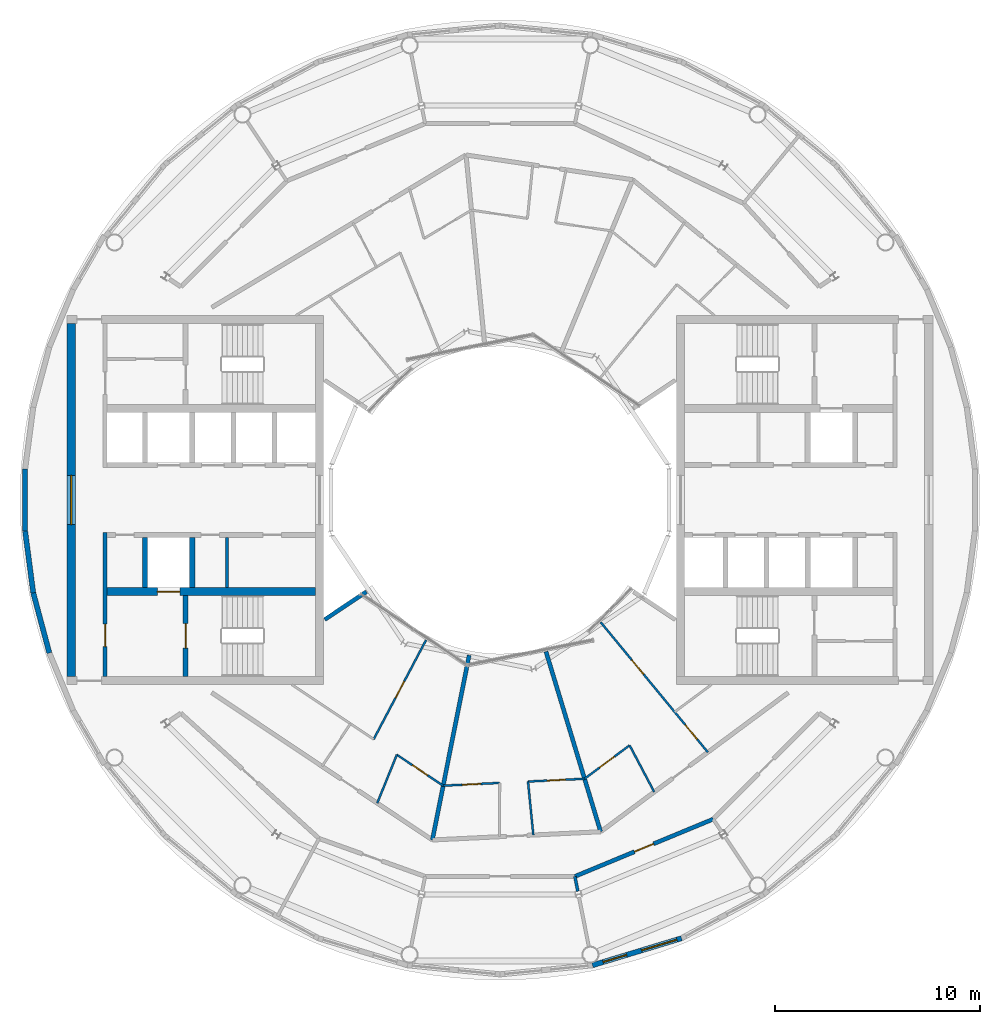
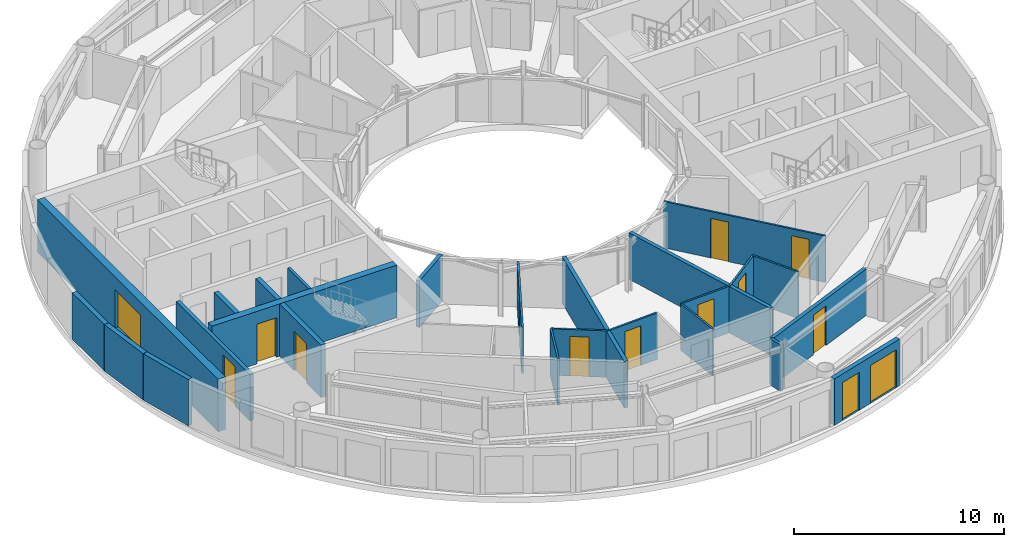
# One storey, part 9 of 17: 25 walls, 13 doors, 1 window, 14 openings.
"""IFC4 building model written with IfcOpenShell, lengths in metres."""

import ifcopenshell
import ifcopenshell.guid

model = None  # the IFC model being written
_history = None  # IfcOwnerHistory: only IFC2X3 demands one
_inside = {}  # id of a spatial element -> (the spatial element, [elements in it])
_under = {}  # id of a project, library or spatial element -> (it, [spatial elements below it])
_declared = {}  # id of a project -> (the project, [libraries it declares])
_typed = {}  # id of a type object -> (the type object, [elements of that type])
_made_of = {}  # id of a material, layer set ... -> (it, [elements and type objects made of it])


def new_model(schema):
    """Start an empty IFC model of exactly this schema.

    Asked for "IFC4X3", IfcOpenShell would pick the latest addendum, in which some entities
    have other attributes; the version numbers below select the first issue.
    IFC2X3 requires an IfcOwnerHistory on every rooted entity: one is made here for all.
    """
    global model, _history
    if schema == "IFC4X3":
        model = ifcopenshell.file(schema_version=(4, 3, 0, 0))
    else:
        model = ifcopenshell.file(schema=schema)
    _inside.clear()
    _under.clear()
    _declared.clear()
    _typed.clear()
    _made_of.clear()
    _history = None
    if model.schema == "IFC2X3":
        org = make("IfcOrganization", Name="unknown")
        user = make(
            "IfcPersonAndOrganization",
            ThePerson=make("IfcPerson", FamilyName="unknown"),
            TheOrganization=org,
        )
        app = make(
            "IfcApplication",
            ApplicationDeveloper=org,
            Version="unknown",
            ApplicationFullName="unknown",
            ApplicationIdentifier="unknown",
        )
        _history = make(
            "IfcOwnerHistory",
            OwningUser=user,
            OwningApplication=app,
            ChangeAction="ADDED",
            CreationDate=0,
        )
    return model


def make(cls, **values):
    """One entity of the class cls with the attributes given. An attribute that is None is left unset."""
    return model.create_entity(
        cls, **{name: value for name, value in values.items() if value is not None}
    )


def rooted(cls, **values):
    """An entity with a GlobalId (a new one), such as an element, a storey or a relation."""
    return make(cls, GlobalId=ifcopenshell.guid.new(), OwnerHistory=_history, **values)


def si_unit(unit_type, name, prefix=None):
    """IfcSIUnit, for example si_unit("LENGTHUNIT", "METRE", prefix="MILLI")."""
    return make("IfcSIUnit", UnitType=unit_type, Prefix=prefix, Name=name)


def assignment(units):
    """IfcUnitAssignment: the units of a project."""
    return None if units is None else make("IfcUnitAssignment", Units=units)


def point(xyz):
    """IfcCartesianPoint."""
    return None if xyz is None else make("IfcCartesianPoint", Coordinates=xyz)


def direction(xyz):
    """IfcDirection."""
    return None if xyz is None else make("IfcDirection", DirectionRatios=xyz)


def frame(location, z_axis=None, x_axis=None):
    """IfcAxis2Placement3D, a coordinate frame: its origin and axes. An axis left out is left unset."""
    return make(
        "IfcAxis2Placement3D",
        Location=point(location),
        Axis=direction(z_axis),
        RefDirection=direction(x_axis),
    )


def frame_2d(location, x_axis=None):
    """IfcAxis2Placement2D, a coordinate frame in the plane: its origin and x axis."""
    return make(
        "IfcAxis2Placement2D", Location=point(location), RefDirection=direction(x_axis)
    )


def origin():
    """The frame at (0, 0, 0) with its axes left unset."""
    return frame((0.0, 0.0, 0.0))


def place(relative_to, where):
    """IfcLocalPlacement: puts the frame where relative to a parent placement (None: the world)."""
    return make(
        "IfcLocalPlacement", PlacementRelTo=relative_to, RelativePlacement=where
    )


def context(
    kind, dimensions, precision=None, world=None, true_north=None, identifier=None
):
    """IfcGeometricRepresentationContext, for example the 3D "Model" context."""
    return make(
        "IfcGeometricRepresentationContext",
        ContextIdentifier=identifier,
        ContextType=kind,
        CoordinateSpaceDimension=dimensions,
        Precision=precision,
        WorldCoordinateSystem=world,
        TrueNorth=true_north,
    )


def subcontext(parent, identifier, kind, view, scale=None):
    """IfcGeometricRepresentationSubContext, for example "Body" below "Model"."""
    return make(
        "IfcGeometricRepresentationSubContext",
        ContextIdentifier=identifier,
        ContextType=kind,
        ParentContext=parent,
        TargetScale=scale,
        TargetView=view,
    )


def project(units=None, contexts=None):
    """IfcProject with its units and contexts."""
    return rooted(
        "IfcProject",
        Name="project",
        RepresentationContexts=contexts,
        UnitsInContext=assignment(units),
    )


def spatial(cls, under=None, at=None, **own):
    """A site, building, storey or space (cls), placed at a placement, below another one or the project."""
    s = rooted(cls, ObjectPlacement=at, **own)
    if under is not None:
        _under.setdefault(under.id(), (under, []))[1].append(s)
    return s


def profile(cls, at=None, kind="AREA", **sizes):
    """A parametric profile (cls). Its sizes go by their IFC names, for example OverallWidth=200.0."""
    return make(cls, ProfileType=kind, Position=at, **sizes)


def rectangle(**sizes):
    """IfcRectangleProfileDef."""
    return profile("IfcRectangleProfileDef", **sizes)


def extrude(swept, where, along, depth):
    """IfcExtrudedAreaSolid: the profile swept, set in the frame where, extruded along a direction by depth."""
    return make(
        "IfcExtrudedAreaSolid",
        SweptArea=swept,
        Position=where,
        ExtrudedDirection=direction(along),
        Depth=depth,
    )


def shape(context_of_items, identifier, shape_type, items):
    """IfcShapeRepresentation: the items that make up one representation, for example the "Body"."""
    return make(
        "IfcShapeRepresentation",
        ContextOfItems=context_of_items,
        RepresentationIdentifier=identifier,
        RepresentationType=shape_type,
        Items=items,
    )


def material(Name=None, Category=None):
    """IfcMaterial."""
    return make("IfcMaterial", Name=Name, Category=Category)


def layer(
    of_material, thickness, ventilated=None, Name=None, Category=None, Priority=None
):
    """IfcMaterialLayer: one layer of a wall or slab, of a material (None: an air gap)."""
    return make(
        "IfcMaterialLayer",
        Material=of_material,
        LayerThickness=thickness,
        IsVentilated=ventilated,
        Name=Name,
        Category=Category,
        Priority=Priority,
    )


def layer_set(layers, Name=None):
    """IfcMaterialLayerSet."""
    return make("IfcMaterialLayerSet", MaterialLayers=layers, LayerSetName=Name)


def made_of(thing, what):
    """Note that an element or type object is made of a material, layer set ...; save() writes the relation."""
    if what is not None:
        _made_of.setdefault(what.id(), (what, []))[1].append(thing)
    return thing


def type_object(cls, material=None, **own):
    """A type object (cls), such as IfcWallType, which elements share."""
    return made_of(rooted(cls, **own), material)


def element(
    cls,
    number,
    at=None,
    inside=None,
    cuts=None,
    type_object=None,
    material=None,
    context=None,
    identifier="Body",
    shape_type=None,
    held_by="IfcProductDefinitionShape",
    body=None,
    shapes=None,
    **own,
):
    """One element of the class cls, such as IfcWall. Its Tag is "e" and its number.

    at: its placement. inside: the storey or other place that contains it. cuts: it is an
    opening in that element (IfcRelVoidsElement). A single representation is given by context,
    identifier, shape_type and body (its items); several are given by shapes. held_by: the class
    of the entity that holds the representations. save() writes the other relations.
    """
    e = rooted(cls, Tag="e%d" % number, ObjectPlacement=at, **own)
    if body is not None:
        shapes = [shape(context, identifier, shape_type, body)]
    if shapes is not None:
        e.Representation = make(held_by, Representations=shapes)
    if inside is not None:
        _inside.setdefault(inside.id(), (inside, []))[1].append(e)
    if cuts is not None:
        rooted(
            "IfcRelVoidsElement", RelatingBuildingElement=cuts, RelatedOpeningElement=e
        )
    if type_object is not None:
        _typed.setdefault(type_object.id(), (type_object, []))[1].append(e)
    return made_of(e, material)


def fill(opening, filler):
    """IfcRelFillsElement: the door or window that sits in an opening."""
    return rooted(
        "IfcRelFillsElement",
        RelatingOpeningElement=opening,
        RelatedBuildingElement=filler,
    )


def aggregate(whole, parts):
    """IfcRelAggregates: a whole, such as a stair, and the parts it consists of."""
    return rooted("IfcRelAggregates", RelatingObject=whole, RelatedObjects=parts)


def save(model, path):
    """Write the relations noted so far, then the file.

    IfcRelAggregates (storeys below a building ...), IfcRelContainedInSpatialStructure (elements
    in a storey), IfcRelDefinesByType, IfcRelAssociatesMaterial and IfcRelDeclares: one each for
    every whole, place, type object, material and project.
    """
    for whole, parts in _under.values():
        aggregate(whole, parts)
    for where, things in _inside.values():
        rooted(
            "IfcRelContainedInSpatialStructure",
            RelatedElements=things,
            RelatingStructure=where,
        )
    for kind, things in _typed.values():
        rooted("IfcRelDefinesByType", RelatedObjects=things, RelatingType=kind)
    for what, things in _made_of.values():
        rooted("IfcRelAssociatesMaterial", RelatedObjects=things, RelatingMaterial=what)
    for by, libraries in _declared.values():
        rooted("IfcRelDeclares", RelatingContext=by, RelatedDefinitions=libraries)
    model.write(path)


model = new_model("IFC4")

# Units and contexts
model_context = context("Model", 3, precision=1e-05, world=origin(), true_north=direction((0.0, 1.0)))
body_context = subcontext(model_context, "Body", "Model", "MODEL_VIEW")
ifc_project = project(units=[si_unit("LENGTHUNIT", "METRE"), si_unit("AREAUNIT", "SQUARE_METRE"), si_unit("VOLUMEUNIT", "CUBIC_METRE"), si_unit("PLANEANGLEUNIT", "RADIAN"), si_unit("MASSUNIT", "GRAM", prefix="KILO")], contexts=[model_context])

# Site, building, storey
site_placement = place(None, origin())
site = spatial("IfcSite", under=ifc_project, at=site_placement, CompositionType="ELEMENT")
building_placement = place(site_placement, origin())
building = spatial("IfcBuilding", under=site, at=building_placement, Name="Maasbend Ring Residences", CompositionType="ELEMENT")
storey_placement = place(building_placement, frame((0.0, 0.0, 249.300048828125)))
storey = spatial("IfcBuildingStorey", under=building, at=storey_placement, Name="L72", CompositionType="ELEMENT", Elevation=249.300048828125)

# Wall, opening, door
ifc_material_1 = material(Name="Concrete C50/60", Category="concrete")
ifc_layer_1 = layer(ifc_material_1, 0.25)
ifc_layer_set_1 = layer_set([ifc_layer_1], Name="Concrete C50/60")
wall_type_1 = type_object("IfcWallType", Name="CORE WALL 250 C50/60", PredefinedType="SHEAR", material=ifc_layer_set_1)
wall_1_placement = place(storey_placement, frame((-15.324951171875, -4.64990234375, 0.0), z_axis=(0.0, 0.0, 1.0), x_axis=(0.0, -1.0, 0.0)))
wall_1 = element("IfcWall", 1, at=wall_1_placement, inside=storey, type_object=wall_type_1, Name="L72 core W wall STEN", PredefinedType="SHEAR", context=body_context, shape_type="SweptSolid", body=[
    extrude(rectangle(XDim=3.9501953125, YDim=0.25, at=frame_2d((1.97509765625, 0.0))), origin(), (0.0, 0.0, 1.0), 3.050048828125),
])
opening_1_placement = place(wall_1_placement, frame((1.375, 0.0, 0.0)))
opening_1 = element("IfcOpeningElement", 2, at=opening_1_placement, cuts=wall_1, Name="Opening D-W7210", PredefinedType="OPENING", context=body_context, shape_type="SweptSolid", body=[
    extrude(rectangle(XDim=1.199951171875, YDim=2.300048828125, at=frame_2d((0.60009765625, 1.14990234375))), frame((0.0, 0.135009765625, 0.0), z_axis=(0.0, -1.0, 0.0), x_axis=(1.0, 0.0, 0.0)), (0.0, 0.0, 1.0), 0.27001953125),
])
ifc_material_2 = material(Name="Steel, powder coated", Category="steel")
door_type_1 = type_object("IfcDoorType", Name="STAIR DOOR 1200 X 2300 FD60", OperationType="NOTDEFINED", PredefinedType="DOOR", material=ifc_material_2)
door_1_placement = place(opening_1_placement, origin())
door_1 = element("IfcDoor", 3, at=door_1_placement, inside=storey, type_object=door_type_1, Name="Stair door ST-W L72", OperationType="SINGLE_SWING_LEFT", OverallHeight=2.300048828125, OverallWidth=1.199951171875, PredefinedType="DOOR", context=body_context, shape_type="SweptSolid", body=[
    extrude(rectangle(XDim=1.199951171875, YDim=2.300048828125, at=frame_2d((0.60009765625, 1.14990234375))), frame((0.0, 0.02490234375, 0.0), z_axis=(0.0, -1.0, 0.0), x_axis=(1.0, 0.0, 0.0)), (0.0, 0.0, 1.0), 0.050048828125),
])
fill(opening_1, door_1)

ifc_material_3 = material(Name="Concrete C50/60", Category="concrete")
ifc_layer_2 = layer(ifc_material_3, 0.375)
ifc_layer_set_2 = layer_set([ifc_layer_2], Name="Concrete C50/60")
wall_type_2 = type_object("IfcWallType", Name="CORE WALL 375 C50/60", PredefinedType="SHEAR", material=ifc_layer_set_2)
wall_2_placement = place(storey_placement, frame((-9.0, -4.46240234375, 0.0), z_axis=(0.0, 0.0, 1.0), x_axis=(-1.0, 0.0, 0.0)))
wall_2 = element("IfcWall", 4, at=wall_2_placement, inside=storey, type_object=wall_type_2, Name="L72 core W wall BN", PredefinedType="SHEAR", context=body_context, shape_type="SweptSolid", body=[
    extrude(rectangle(XDim=10.14990234375, YDim=0.375, at=frame_2d((5.074951171875, 0.0))), origin(), (0.0, 0.0, 1.0), 3.050048828125),
])
opening_2_placement = place(wall_2_placement, frame((6.60009765625, 0.0, 0.0)))
opening_2 = element("IfcOpeningElement", 5, at=opening_2_placement, cuts=wall_2, Name="Opening LD-W7201", PredefinedType="OPENING", context=body_context, shape_type="SweptSolid", body=[
    extrude(rectangle(XDim=1.10009765625, YDim=2.300048828125, at=frame_2d((0.550048828125, 1.14990234375))), frame((0.0, 0.197509765625, 0.0), z_axis=(0.0, -1.0, 0.0), x_axis=(1.0, 0.0, 0.0)), (0.0, 0.0, 1.0), 0.39501953125),
])
ifc_material_4 = material(Name="Stainless steel 316", Category="steel")
door_type_2 = type_object("IfcDoorType", Name="LANDING DOOR 1100 X 2300 FD60", OperationType="DOUBLE_DOOR_SLIDING", PredefinedType="DOOR", material=ifc_material_4)
door_2_placement = place(opening_2_placement, origin())
door_2 = element("IfcDoor", 6, at=door_2_placement, inside=storey, type_object=door_type_2, Name="Landing door FF-W L72", OperationType="DOUBLE_DOOR_SLIDING", OverallHeight=2.300048828125, OverallWidth=1.10009765625, PredefinedType="DOOR", context=body_context, shape_type="SweptSolid", body=[
    extrude(rectangle(XDim=1.10009765625, YDim=2.300048828125, at=frame_2d((0.550048828125, 1.14990234375))), frame((0.0, 0.02490234375, 0.0), z_axis=(0.0, -1.0, 0.0), x_axis=(1.0, 0.0, 0.0)), (0.0, 0.0, 1.0), 0.050048828125),
])
fill(opening_2, door_2)

# Wall, opening, window
ifc_material_5 = material(Name="Concrete C50/60", Category="concrete")
ifc_layer_3 = layer(ifc_material_5, 0.39990234375)
ifc_layer_set_3 = layer_set([ifc_layer_3], Name="Concrete C50/60")
wall_type_3 = type_object("IfcWallType", Name="CORE WALL 400 C50/60", PredefinedType="SHEAR", material=ifc_layer_set_3)
wall_3_placement = place(storey_placement, frame((-20.89990234375, 8.60009765625, 0.0), z_axis=(0.0, 0.0, 1.0), x_axis=(0.0, -1.0, 0.0)))
wall_3 = element("IfcWall", 7, at=wall_3_placement, inside=storey, type_object=wall_type_3, Name="L72 core W wall POUT", PredefinedType="SHEAR", context=body_context, shape_type="SweptSolid", body=[
    extrude(rectangle(XDim=17.2001953125, YDim=0.39990234375, at=frame_2d((8.60009765625, 0.0))), origin(), (0.0, 0.0, 1.0), 3.050048828125),
])
opening_3_placement = place(wall_3_placement, frame((7.39990234375, 0.0, 0.10009765625)))
opening_3 = element("IfcOpeningElement", 8, at=opening_3_placement, cuts=wall_3, Name="Opening W-W7202", PredefinedType="OPENING", context=body_context, shape_type="SweptSolid", body=[
    extrude(rectangle(XDim=2.39990234375, YDim=2.199951171875, at=frame_2d((1.199951171875, 1.10009765625))), frame((0.0, 0.2099609375, 0.0), z_axis=(0.0, -1.0, 0.0), x_axis=(1.0, 0.0, 0.0)), (0.0, 0.0, 1.0), 0.419921875),
])
ifc_material_6 = material(Name="Aluminium frame and clear glass", Category="aluminium")
window_type = type_object("IfcWindowType", Name="FIXED WINDOW 2400 X 2200", PartitioningType="SINGLE_PANEL", PredefinedType="WINDOW", material=ifc_material_6)
window_placement = place(opening_3_placement, origin())
window = element("IfcWindow", 9, at=window_placement, inside=storey, type_object=window_type, Name="Lobby window L72", OverallHeight=2.199951171875, OverallWidth=2.39990234375, PartitioningType="SINGLE_PANEL", PredefinedType="WINDOW", context=body_context, shape_type="SweptSolid", body=[
    extrude(rectangle(XDim=2.39990234375, YDim=2.199951171875, at=frame_2d((1.199951171875, 1.10009765625))), frame((0.0, 0.030029296875, 0.0), z_axis=(0.0, -1.0, 0.0), x_axis=(1.0, 0.0, 0.0)), (0.0, 0.0, 1.0), 0.06005859375),
])
fill(opening_3, window)

# Wall, opening, door
ifc_material_7 = material(Name="Concrete C30/37", Category="concrete")
ifc_layer_4 = layer(ifc_material_7, 0.199951171875)
ifc_layer_set_4 = layer_set([ifc_layer_4], Name="Concrete C30/37")
wall_type_4 = type_object("IfcWallType", Name="CORRIDOR WALL 200 CONCRETE", PredefinedType="PARTITIONING", material=ifc_layer_set_4)
wall_4_placement = place(storey_placement, frame((3.64990234375, -18.35107421875, 0.0), z_axis=(0.0, 0.0, 1.0), x_axis=(0.923866436038, 0.382715048518, 0.0)))
wall_4 = element("IfcWall", 10, at=wall_4_placement, inside=storey, type_object=wall_type_4, Name="U-L72-w003", PredefinedType="PARTITIONING", context=body_context, shape_type="SweptSolid", body=[
    extrude(rectangle(XDim=7.301025390625, YDim=0.199951171875, at=frame_2d((3.650390625, 0.0))), origin(), (0.0, 0.0, 1.0), 2.699951171875),
])
opening_4_placement = place(wall_4_placement, frame((3.14990234375, 0.0, 0.0)))
opening_4 = element("IfcOpeningElement", 11, at=opening_4_placement, cuts=wall_4, Name="Opening D-7209", PredefinedType="OPENING", context=body_context, shape_type="SweptSolid", body=[
    extrude(rectangle(XDim=1.0, YDim=2.300048828125, at=frame_2d((0.5, 1.14990234375))), frame((0.0, 0.10986328125, 0.0), z_axis=(0.0, -1.0, 0.0), x_axis=(1.0, 0.0, 0.0)), (0.0, 0.0, 1.0), 0.219970703125),
])
ifc_material_8 = material(Name="Timber, painted", Category="wood")
door_type_3 = type_object("IfcDoorType", Name="ROOM DOOR 1000 X 2300", OperationType="NOTDEFINED", PredefinedType="DOOR", material=ifc_material_8)
door_3_placement = place(opening_4_placement, origin())
door_3 = element("IfcDoor", 12, at=door_3_placement, inside=storey, type_object=door_type_3, Name="D-7209", OperationType="SINGLE_SWING_LEFT", OverallHeight=2.300048828125, OverallWidth=1.0, PredefinedType="DOOR", context=body_context, shape_type="SweptSolid", body=[
    extrude(rectangle(XDim=1.0, YDim=2.300048828125, at=frame_2d((0.5, 1.14990234375))), frame((0.0, 0.02490234375, 0.0), z_axis=(0.0, -1.0, 0.0), x_axis=(1.0, 0.0, 0.0)), (0.0, 0.0, 1.0), 0.050048828125),
])
fill(opening_4, door_3)

# Wall, openings, doors
ifc_material_9 = material(Name="Aluminium clad insulated panel", Category="aluminium")
ifc_layer_5 = layer(ifc_material_9, 0.25)
ifc_layer_set_5 = layer_set([ifc_layer_5], Name="EW-GL")
wall_type_5 = type_object("IfcWallType", Name="EW-GL", PredefinedType="SOLIDWALL", material=ifc_layer_set_5)
wall_5_placement = place(storey_placement, frame((4.510986328125, -22.680908203125, 0.0), z_axis=(0.0, 0.0, 1.0), x_axis=(0.956960982965, 0.290216603735, 0.0)))
wall_5 = element("IfcWall", 13, at=wall_5_placement, inside=storey, type_object=wall_type_5, Name="External wall S07", PredefinedType="SOLIDWALL", context=body_context, shape_type="SweptSolid", body=[
    extrude(rectangle(XDim=4.5341796875, YDim=0.25, at=frame_2d((2.26708984375, 0.0))), origin(), (0.0, 0.0, 1.0), 2.699951171875),
])
opening_5_placement = place(wall_5_placement, frame((0.5361328125, 0.0, 0.0)))
opening_5 = element("IfcOpeningElement", 14, at=opening_5_placement, cuts=wall_5, Name="Opening D-TN", PredefinedType="OPENING", context=body_context, shape_type="SweptSolid", body=[
    extrude(rectangle(XDim=1.199951171875, YDim=2.199951171875, at=frame_2d((0.60009765625, 1.10009765625))), frame((0.0, 0.135009765625, 0.0), z_axis=(0.0, -1.0, 0.0), x_axis=(1.0, 0.0, 0.0)), (0.0, 0.0, 1.0), 0.27001953125),
])
opening_6_placement = place(wall_5_placement, frame((2.497314453125, 0.0, 0.0)))
opening_6 = element("IfcOpeningElement", 15, at=opening_6_placement, cuts=wall_5, Name="Opening D-TR", PredefinedType="OPENING", context=body_context, shape_type="SweptSolid", body=[
    extrude(rectangle(XDim=1.800048828125, YDim=2.199951171875, at=frame_2d((0.89990234375, 1.10009765625))), frame((0.0, 0.135009765625, 0.0), z_axis=(0.0, -1.0, 0.0), x_axis=(1.0, 0.0, 0.0)), (0.0, 0.0, 1.0), 0.27001953125),
])
ifc_material_10 = material(Name="Aluminium and clear glass", Category="aluminium")
door_type_4 = type_object("IfcDoorType", Name="D-TN", OperationType="SINGLE_SWING_LEFT", PredefinedType="DOOR", material=ifc_material_10)
door_4_placement = place(opening_5_placement, origin())
door_4 = element("IfcDoor", 16, at=door_4_placement, inside=storey, type_object=door_type_4, Name="Terrace door S13", OperationType="SINGLE_SWING_LEFT", OverallHeight=2.199951171875, OverallWidth=1.199951171875, PredefinedType="DOOR", context=body_context, shape_type="SweptSolid", body=[
    extrude(rectangle(XDim=1.199951171875, YDim=2.199951171875, at=frame_2d((0.60009765625, 1.10009765625))), frame((0.0, 0.02490234375, 0.0), z_axis=(0.0, -1.0, 0.0), x_axis=(1.0, 0.0, 0.0)), (0.0, 0.0, 1.0), 0.050048828125),
])
fill(opening_5, door_4)
ifc_material_11 = material(Name="Aluminium and clear glass", Category="aluminium")
door_type_5 = type_object("IfcDoorType", Name="D-TR", OperationType="DOUBLE_DOOR_SINGLE_SWING", PredefinedType="DOOR", material=ifc_material_11)
door_5_placement = place(opening_6_placement, origin())
door_5 = element("IfcDoor", 17, at=door_5_placement, inside=storey, type_object=door_type_5, Name="Terrace door S14", OperationType="SINGLE_SWING_LEFT", OverallHeight=2.199951171875, OverallWidth=1.800048828125, PredefinedType="DOOR", context=body_context, shape_type="SweptSolid", body=[
    extrude(rectangle(XDim=1.800048828125, YDim=2.199951171875, at=frame_2d((0.89990234375, 1.10009765625))), frame((0.0, 0.02490234375, 0.0), z_axis=(0.0, -1.0, 0.0), x_axis=(1.0, 0.0, 0.0)), (0.0, 0.0, 1.0), 0.050048828125),
])
fill(opening_6, door_5)

# Walls
ifc_material_12 = material(Name="Louvred aluminium panel", Category="aluminium")
ifc_layer_6 = layer(ifc_material_12, 0.25)
ifc_layer_set_6 = layer_set([ifc_layer_6], Name="EW-LV")
wall_type_6 = type_object("IfcWallType", Name="EW-LV", PredefinedType="SOLIDWALL", material=ifc_layer_set_6)
wall_6_placement = place(storey_placement, frame((-23.14990234375, 1.51708984375, 0.0), z_axis=(0.0, 0.0, 1.0), x_axis=(0.0, -1.0, 0.0)))
element("IfcWall", 18, at=wall_6_placement, inside=storey, type_object=wall_type_6, Name="Horn wall 2.5", PredefinedType="SOLIDWALL", context=body_context, shape_type="SweptSolid", body=[
    extrude(rectangle(XDim=3.0341796875, YDim=0.25, at=frame_2d((1.51708984375, 0.0))), origin(), (0.0, 0.0, 1.0), 2.699951171875),
])
wall_7_placement = place(storey_placement, frame((-23.14990234375, -1.51708984375, 0.0), z_axis=(0.0, 0.0, 1.0), x_axis=(0.130487809173, -0.991449913842, 0.0)))
element("IfcWall", 19, at=wall_7_placement, inside=storey, type_object=wall_type_6, Name="Horn wall 2.6", PredefinedType="SOLIDWALL", context=body_context, shape_type="SweptSolid", body=[
    extrude(rectangle(XDim=3.03466796875, YDim=0.25, at=frame_2d((1.517333984375, 0.0))), origin(), (0.0, 0.0, 1.0), 2.699951171875),
])
wall_8_placement = place(storey_placement, frame((-22.75390625, -4.52587890625, 0.0), z_axis=(0.0, 0.0, 1.0), x_axis=(0.258669057101, -0.965966002972, 0.0)))
element("IfcWall", 20, at=wall_8_placement, inside=storey, type_object=wall_type_6, Name="Horn wall 2.7", PredefinedType="SOLIDWALL", context=body_context, shape_type="SweptSolid", body=[
    extrude(rectangle(XDim=3.034423828125, YDim=0.25, at=frame_2d((1.51708984375, 0.0))), origin(), (0.0, 0.0, 1.0), 2.699951171875),
])

# Wall, opening, door
ifc_material_13 = material(Name="Gypsum board on steel studs", Category="steel")
ifc_layer_7 = layer(ifc_material_13, 0.10009765625)
ifc_layer_set_7 = layer_set([ifc_layer_7], Name="PARTITION 100 GYPSUM")
wall_type_7 = type_object("IfcWallType", Name="PARTITION 100 GYPSUM", PredefinedType="PARTITIONING", material=ifc_layer_set_7)
wall_9_placement = place(storey_placement, frame((-2.77197265625, -13.927001953125, 0.0), z_axis=(0.0, 0.0, 1.0), x_axis=(0.998804891239, 0.048875241559, 0.0)))
wall_9 = element("IfcWall", 21, at=wall_9_placement, inside=storey, type_object=wall_type_7, Name="U-L72-w009", PredefinedType="PARTITIONING", context=body_context, shape_type="SweptSolid", body=[
    extrude(rectangle(XDim=2.762451171875, YDim=0.10009765625, at=frame_2d((1.38134765625, 0.0))), origin(), (0.0, 0.0, 1.0), 2.699951171875),
])
opening_7_placement = place(wall_9_placement, frame((0.930908203125, 0.0, 0.0)))
opening_7 = element("IfcOpeningElement", 22, at=opening_7_placement, cuts=wall_9, Name="Opening D-7228", PredefinedType="OPENING", context=body_context, shape_type="SweptSolid", body=[
    extrude(rectangle(XDim=0.89990234375, YDim=2.300048828125, at=frame_2d((0.449951171875, 1.14990234375))), frame((0.0, 0.06005859375, 0.0), z_axis=(0.0, -1.0, 0.0), x_axis=(1.0, 0.0, 0.0)), (0.0, 0.0, 1.0), 0.1201171875),
])
ifc_material_14 = material(Name="Timber, painted", Category="wood")
door_type_6 = type_object("IfcDoorType", Name="INTERNAL DOOR 900 X 2300", OperationType="NOTDEFINED", PredefinedType="DOOR", material=ifc_material_14)
door_6_placement = place(opening_7_placement, origin())
door_6 = element("IfcDoor", 23, at=door_6_placement, inside=storey, type_object=door_type_6, Name="D-7228", OperationType="SINGLE_SWING_LEFT", OverallHeight=2.300048828125, OverallWidth=0.89990234375, PredefinedType="DOOR", context=body_context, shape_type="SweptSolid", body=[
    extrude(rectangle(XDim=0.89990234375, YDim=2.300048828125, at=frame_2d((0.449951171875, 1.14990234375))), frame((0.0, 0.02490234375, 0.0), z_axis=(0.0, -1.0, 0.0), x_axis=(1.0, 0.0, 0.0)), (0.0, 0.0, 1.0), 0.050048828125),
])
fill(opening_7, door_6)

wall_10_placement = place(storey_placement, frame((1.364990234375, -13.72509765625, 0.0), z_axis=(0.0, 0.0, 1.0), x_axis=(0.99880320044, 0.048909782152, 0.0)))
wall_10 = element("IfcWall", 24, at=wall_10_placement, inside=storey, type_object=wall_type_7, Name="U-L72-w010", PredefinedType="PARTITIONING", context=body_context, shape_type="SweptSolid", body=[
    extrude(rectangle(XDim=2.760498046875, YDim=0.10009765625, at=frame_2d((1.38037109375, 0.0))), origin(), (0.0, 0.0, 1.0), 2.699951171875),
])
opening_8_placement = place(wall_10_placement, frame((0.929931640625, 0.0, 0.0)))
opening_8 = element("IfcOpeningElement", 25, at=opening_8_placement, cuts=wall_10, Name="Opening D-7229", PredefinedType="OPENING", context=body_context, shape_type="SweptSolid", body=[
    extrude(rectangle(XDim=0.89990234375, YDim=2.300048828125, at=frame_2d((0.449951171875, 1.14990234375))), frame((0.0, 0.06005859375, 0.0), z_axis=(0.0, -1.0, 0.0), x_axis=(1.0, 0.0, 0.0)), (0.0, 0.0, 1.0), 0.1201171875),
])
door_7_placement = place(opening_8_placement, origin())
door_7 = element("IfcDoor", 26, at=door_7_placement, inside=storey, type_object=door_type_6, Name="D-7229", OperationType="SINGLE_SWING_RIGHT", OverallHeight=2.300048828125, OverallWidth=0.89990234375, PredefinedType="DOOR", context=body_context, shape_type="SweptSolid", body=[
    extrude(rectangle(XDim=0.89990234375, YDim=2.300048828125, at=frame_2d((0.449951171875, 1.14990234375))), frame((0.0, 0.02490234375, 0.0), z_axis=(0.0, -1.0, 0.0), x_axis=(1.0, 0.0, 0.0)), (0.0, 0.0, 1.0), 0.050048828125),
])
fill(opening_8, door_7)

wall_11_placement = place(storey_placement, frame((4.12109375, -13.590087890625, 0.0), z_axis=(0.0, 0.0, 1.0), x_axis=(0.803096649891, 0.595848781935, 0.0)))
wall_11 = element("IfcWall", 27, at=wall_11_placement, inside=storey, type_object=wall_type_7, Name="U-L72-w011", PredefinedType="PARTITIONING", context=body_context, shape_type="SweptSolid", body=[
    extrude(rectangle(XDim=2.734130859375, YDim=0.10009765625, at=frame_2d((1.3671875, 0.0))), origin(), (0.0, 0.0, 1.0), 2.699951171875),
])
opening_9_placement = place(wall_11_placement, frame((0.9189453125, 0.0, 0.0)))
opening_9 = element("IfcOpeningElement", 28, at=opening_9_placement, cuts=wall_11, Name="Opening D-7231", PredefinedType="OPENING", context=body_context, shape_type="SweptSolid", body=[
    extrude(rectangle(XDim=0.89990234375, YDim=2.300048828125, at=frame_2d((0.449951171875, 1.14990234375))), frame((0.0, 0.06005859375, 0.0), z_axis=(0.0, -1.0, 0.0), x_axis=(1.0, 0.0, 0.0)), (0.0, 0.0, 1.0), 0.1201171875),
])
door_8_placement = place(opening_9_placement, origin())
door_8 = element("IfcDoor", 29, at=door_8_placement, inside=storey, type_object=door_type_6, Name="D-7231", OperationType="SINGLE_SWING_RIGHT", OverallHeight=2.300048828125, OverallWidth=0.89990234375, PredefinedType="DOOR", context=body_context, shape_type="SweptSolid", body=[
    extrude(rectangle(XDim=0.89990234375, YDim=2.300048828125, at=frame_2d((0.449951171875, 1.14990234375))), frame((0.0, 0.02490234375, 0.0), z_axis=(0.0, -1.0, 0.0), x_axis=(1.0, 0.0, 0.0)), (0.0, 0.0, 1.0), 0.050048828125),
])
fill(opening_9, door_8)

wall_12_placement = place(storey_placement, frame((-5.029052734375, -12.41796875, 0.0), z_axis=(0.0, 0.0, 1.0), x_axis=(0.831538390496, -0.555467285384, 0.0)))
wall_12 = element("IfcWall", 30, at=wall_12_placement, inside=storey, type_object=wall_type_7, Name="U-L72-w014", PredefinedType="PARTITIONING", context=body_context, shape_type="SweptSolid", body=[
    extrude(rectangle(XDim=2.716796875, YDim=0.10009765625, at=frame_2d((1.3583984375, 0.0))), origin(), (0.0, 0.0, 1.0), 2.699951171875),
])
opening_10_placement = place(wall_12_placement, frame((0.907958984375, 0.0, 0.0)))
opening_10 = element("IfcOpeningElement", 31, at=opening_10_placement, cuts=wall_12, Name="Opening D-7224", PredefinedType="OPENING", context=body_context, shape_type="SweptSolid", body=[
    extrude(rectangle(XDim=0.89990234375, YDim=2.300048828125, at=frame_2d((0.449951171875, 1.14990234375))), frame((0.0, 0.06005859375, 0.0), z_axis=(0.0, -1.0, 0.0), x_axis=(1.0, 0.0, 0.0)), (0.0, 0.0, 1.0), 0.1201171875),
])
door_9_placement = place(opening_10_placement, origin())
door_9 = element("IfcDoor", 32, at=door_9_placement, inside=storey, type_object=door_type_6, Name="D-7224", OperationType="SINGLE_SWING_LEFT", OverallHeight=2.300048828125, OverallWidth=0.89990234375, PredefinedType="DOOR", context=body_context, shape_type="SweptSolid", body=[
    extrude(rectangle(XDim=0.89990234375, YDim=2.300048828125, at=frame_2d((0.449951171875, 1.14990234375))), frame((0.0, 0.02490234375, 0.0), z_axis=(0.0, -1.0, 0.0), x_axis=(1.0, 0.0, 0.0)), (0.0, 0.0, 1.0), 0.050048828125),
])
fill(opening_10, door_9)

wall_13_placement = place(storey_placement, frame((-6.158935546875, -11.6630859375, 0.0), z_axis=(0.0, 0.0, 1.0), x_axis=(0.466976820365, 0.884269556889, 0.0)))
wall_13 = element("IfcWall", 33, at=wall_13_placement, inside=storey, type_object=wall_type_7, Name="U-L72-w025", PredefinedType="PARTITIONING", context=body_context, shape_type="SweptSolid", body=[
    extrude(rectangle(XDim=5.46923828125, YDim=0.10009765625, at=frame_2d((2.734619140625, 0.0))), origin(), (0.0, 0.0, 1.0), 2.699951171875),
])
opening_11_placement = place(wall_13_placement, frame((2.283935546875, 0.0, 0.0)))
opening_11 = element("IfcOpeningElement", 34, at=opening_11_placement, cuts=wall_13, Name="Opening D-7226", PredefinedType="OPENING", context=body_context, shape_type="SweptSolid", body=[
    extrude(rectangle(XDim=0.89990234375, YDim=2.300048828125, at=frame_2d((0.449951171875, 1.14990234375))), frame((0.0, 0.06005859375, 0.0), z_axis=(0.0, -1.0, 0.0), x_axis=(1.0, 0.0, 0.0)), (0.0, 0.0, 1.0), 0.1201171875),
])
door_10_placement = place(opening_11_placement, origin())
door_10 = element("IfcDoor", 35, at=door_10_placement, inside=storey, type_object=door_type_6, Name="D-7226", OperationType="SINGLE_SWING_LEFT", OverallHeight=2.300048828125, OverallWidth=0.89990234375, PredefinedType="DOOR", context=body_context, shape_type="SweptSolid", body=[
    extrude(rectangle(XDim=0.89990234375, YDim=2.300048828125, at=frame_2d((0.449951171875, 1.14990234375))), frame((0.0, 0.02490234375, 0.0), z_axis=(0.0, -1.0, 0.0), x_axis=(1.0, 0.0, 0.0)), (0.0, 0.0, 1.0), 0.050048828125),
])
fill(opening_11, door_10)

# Walls
wall_14_placement = place(storey_placement, frame((-5.986083984375, -14.779052734375, 0.0), z_axis=(0.0, 0.0, 1.0), x_axis=(0.375649498413, 0.926761811008, 0.0)))
element("IfcWall", 36, at=wall_14_placement, inside=storey, type_object=wall_type_7, Name="U-L72-w026", PredefinedType="PARTITIONING", context=body_context, shape_type="SweptSolid", body=[
    extrude(rectangle(XDim=2.547607421875, YDim=0.10009765625, at=frame_2d((1.27392578125, 0.0))), origin(), (0.0, 0.0, 1.0), 2.699951171875),
])
wall_15_placement = place(storey_placement, frame((1.364990234375, -13.72412109375, 0.0), z_axis=(0.0, 0.0, 1.0), x_axis=(0.099171803948, -0.995070325807, 0.0)))
element("IfcWall", 37, at=wall_15_placement, inside=storey, type_object=wall_type_7, Name="U-L72-w037", PredefinedType="PARTITIONING", context=body_context, shape_type="SweptSolid", body=[
    extrude(rectangle(XDim=2.621826171875, YDim=0.10009765625, at=frame_2d((1.31103515625, 0.0))), origin(), (0.0, 0.0, 1.0), 2.699951171875),
])

# Wall, openings, doors
wall_16_placement = place(storey_placement, frame((4.907958984375, -5.958984375, 0.0), z_axis=(0.0, 0.0, 1.0), x_axis=(0.636105207978, -0.771602335652, 0.0)))
wall_16 = element("IfcWall", 38, at=wall_16_placement, inside=storey, type_object=wall_type_7, Name="U-L72-w046", PredefinedType="PARTITIONING", context=body_context, shape_type="SweptSolid", body=[
    extrude(rectangle(XDim=8.212646484375, YDim=0.10009765625, at=frame_2d((4.1064453125, 0.0))), origin(), (0.0, 0.0, 1.0), 2.699951171875),
])
opening_12_placement = place(wall_16_placement, frame((6.489990234375, 0.0, 0.0)))
opening_12 = element("IfcOpeningElement", 39, at=opening_12_placement, cuts=wall_16, Name="Opening D-7232", PredefinedType="OPENING", context=body_context, shape_type="SweptSolid", body=[
    extrude(rectangle(XDim=0.89990234375, YDim=2.300048828125, at=frame_2d((0.449951171875, 1.14990234375))), frame((0.0, 0.06005859375, 0.0), z_axis=(0.0, -1.0, 0.0), x_axis=(1.0, 0.0, 0.0)), (0.0, 0.0, 1.0), 0.1201171875),
])
opening_13_placement = place(wall_16_placement, frame((2.384033203125, 0.0, 0.0)))
opening_13 = element("IfcOpeningElement", 40, at=opening_13_placement, cuts=wall_16, Name="Opening D-7233", PredefinedType="OPENING", context=body_context, shape_type="SweptSolid", body=[
    extrude(rectangle(XDim=0.89990234375, YDim=2.300048828125, at=frame_2d((0.449951171875, 1.14990234375))), frame((0.0, 0.06005859375, 0.0), z_axis=(0.0, -1.0, 0.0), x_axis=(1.0, 0.0, 0.0)), (0.0, 0.0, 1.0), 0.1201171875),
])
door_11_placement = place(opening_12_placement, origin())
door_11 = element("IfcDoor", 41, at=door_11_placement, inside=storey, type_object=door_type_6, Name="D-7232", OperationType="SINGLE_SWING_RIGHT", OverallHeight=2.300048828125, OverallWidth=0.89990234375, PredefinedType="DOOR", context=body_context, shape_type="SweptSolid", body=[
    extrude(rectangle(XDim=0.89990234375, YDim=2.300048828125, at=frame_2d((0.449951171875, 1.14990234375))), frame((0.0, 0.02490234375, 0.0), z_axis=(0.0, -1.0, 0.0), x_axis=(1.0, 0.0, 0.0)), (0.0, 0.0, 1.0), 0.050048828125),
])
fill(opening_12, door_11)
door_12_placement = place(opening_13_placement, origin())
door_12 = element("IfcDoor", 42, at=door_12_placement, inside=storey, type_object=door_type_6, Name="D-7233", OperationType="SINGLE_SWING_LEFT", OverallHeight=2.300048828125, OverallWidth=0.89990234375, PredefinedType="DOOR", context=body_context, shape_type="SweptSolid", body=[
    extrude(rectangle(XDim=0.89990234375, YDim=2.300048828125, at=frame_2d((0.449951171875, 1.14990234375))), frame((0.0, 0.02490234375, 0.0), z_axis=(0.0, -1.0, 0.0), x_axis=(1.0, 0.0, 0.0)), (0.0, 0.0, 1.0), 0.050048828125),
])
fill(opening_13, door_12)

# Walls
wall_17_placement = place(storey_placement, frame((6.318115234375, -11.9599609375, 0.0), z_axis=(0.0, 0.0, 1.0), x_axis=(0.467001992543, -0.884256263173, 0.0)))
element("IfcWall", 43, at=wall_17_placement, inside=storey, type_object=wall_type_7, Name="U-L72-w047", PredefinedType="PARTITIONING", context=body_context, shape_type="SweptSolid", body=[
    extrude(rectangle(XDim=2.571533203125, YDim=0.10009765625, at=frame_2d((1.28564453125, 0.0))), origin(), (0.0, 0.0, 1.0), 2.699951171875),
])
ifc_material_15 = material(Name="Gypsum board on steel studs", Category="steel")
ifc_layer_8 = layer(ifc_material_15, 0.14990234375)
ifc_layer_set_8 = layer_set([ifc_layer_8], Name="PARTITION 150 EI 60")
wall_type_8 = type_object("IfcWallType", Name="PARTITION 150 EI 60", PredefinedType="PARTITIONING", material=ifc_layer_set_8)
wall_18_placement = place(storey_placement, frame((-13.300048828125, -1.824951171875, 0.0), z_axis=(0.0, 0.0, 1.0), x_axis=(0.0, -1.0, 0.0)))
element("IfcWall", 44, at=wall_18_placement, inside=storey, type_object=wall_type_8, Name="L72 core W wall PRN1330", PredefinedType="PARTITIONING", context=body_context, shape_type="SweptSolid", body=[
    extrude(rectangle(XDim=2.449951171875, YDim=0.14990234375, at=frame_2d((1.22509765625, 0.0))), origin(), (0.0, 0.0, 1.0), 2.699951171875),
])
ifc_material_16 = material(Name="Gypsum board on steel studs", Category="steel")
ifc_layer_9 = layer(ifc_material_16, 0.14990234375)
ifc_layer_set_9 = layer_set([ifc_layer_9], Name="PARTITION 150 GYPSUM")
wall_type_9 = type_object("IfcWallType", Name="PARTITION 150 GYPSUM", PredefinedType="PARTITIONING", material=ifc_layer_set_9)
wall_19_placement = place(storey_placement, frame((3.64990234375, -18.35107421875, 0.0), z_axis=(0.0, 0.0, 1.0), x_axis=(0.194908923467, -0.98082134538, 0.0)))
element("IfcWall", 45, at=wall_19_placement, inside=storey, type_object=wall_type_9, Name="U-L72-w041", PredefinedType="PARTITIONING", context=body_context, shape_type="SweptSolid", body=[
    extrude(rectangle(XDim=0.739013671875, YDim=0.14990234375, at=frame_2d((0.36962890625, 0.0))), origin(), (0.0, 0.0, 1.0), 2.699951171875),
])
ifc_material_17 = material(Name="Concrete C30/37", Category="concrete")
ifc_layer_10 = layer(ifc_material_17, 0.199951171875)
ifc_layer_set_10 = layer_set([ifc_layer_10], Name="Concrete C30/37")
wall_type_10 = type_object("IfcWallType", Name="PARTY WALL 200 CONCRETE", PredefinedType="PARTITIONING", material=ifc_layer_set_10)
wall_20_placement = place(storey_placement, frame((-6.512939453125, -4.471923828125, 0.0), z_axis=(0.0, 0.0, 1.0), x_axis=(-0.831450132577, -0.555599385382, 0.0)))
element("IfcWall", 46, at=wall_20_placement, inside=storey, type_object=wall_type_10, Name="U-L72-w015", PredefinedType="PARTITIONING", context=body_context, shape_type="SweptSolid", body=[
    extrude(rectangle(XDim=2.442626953125, YDim=0.199951171875, at=frame_2d((1.22119140625, 0.0))), origin(), (0.0, 0.0, 1.0), 2.699951171875),
])
wall_21_placement = place(storey_placement, frame((-3.297119140625, -16.574951171875, 0.0), z_axis=(0.0, 0.0, 1.0), x_axis=(0.19524145691, 0.980755205698, 0.0)))
element("IfcWall", 47, at=wall_21_placement, inside=storey, type_object=wall_type_10, Name="U-L72-w033", PredefinedType="PARTITIONING", context=body_context, shape_type="SweptSolid", body=[
    extrude(rectangle(XDim=9.1796875, YDim=0.199951171875, at=frame_2d((4.58984375, 0.0))), origin(), (0.0, 0.0, 1.0), 2.699951171875),
])
wall_22_placement = place(storey_placement, frame((2.239990234375, -7.387939453125, 0.0), z_axis=(0.0, 0.0, 1.0), x_axis=(0.290420725025, -0.956899055531, 0.0)))
element("IfcWall", 48, at=wall_22_placement, inside=storey, type_object=wall_type_10, Name="U-L72-w038", PredefinedType="PARTITIONING", context=body_context, shape_type="SweptSolid", body=[
    extrude(rectangle(XDim=9.179931640625, YDim=0.199951171875, at=frame_2d((4.58984375, 0.0))), origin(), (0.0, 0.0, 1.0), 2.699951171875),
])

# Wall, opening, door
ifc_material_18 = material(Name="Concrete C30/37", Category="concrete")
ifc_layer_11 = layer(ifc_material_18, 0.199951171875)
ifc_layer_set_11 = layer_set([ifc_layer_11], Name="Concrete C30/37")
wall_type_11 = type_object("IfcWallType", Name="SHAFT WALL 200 EI 120", PredefinedType="SOLIDWALL", material=ifc_layer_set_11)
wall_23_placement = place(storey_placement, frame((-19.25, -1.574951171875, 0.0), z_axis=(0.0, 0.0, 1.0), x_axis=(0.0, -1.0, 0.0)))
wall_23 = element("IfcWall", 49, at=wall_23_placement, inside=storey, type_object=wall_type_11, Name="L72 core W wall ENDN", PredefinedType="SOLIDWALL", context=body_context, shape_type="SweptSolid", body=[
    extrude(rectangle(XDim=7.025146484375, YDim=0.199951171875, at=frame_2d((3.5126953125, 0.0))), origin(), (0.0, 0.0, 1.0), 2.699951171875),
])
opening_14_placement = place(wall_23_placement, frame((4.47509765625, 0.0, 0.0)))
opening_14 = element("IfcOpeningElement", 50, at=opening_14_placement, cuts=wall_23, Name="Opening D-W7212", PredefinedType="OPENING", context=body_context, shape_type="SweptSolid", body=[
    extrude(rectangle(XDim=1.10009765625, YDim=2.300048828125, at=frame_2d((0.550048828125, 1.14990234375))), frame((0.0, 0.10986328125, 0.0), z_axis=(0.0, -1.0, 0.0), x_axis=(1.0, 0.0, 0.0)), (0.0, 0.0, 1.0), 0.219970703125),
])
ifc_material_19 = material(Name="Steel, powder coated", Category="steel")
door_type_7 = type_object("IfcDoorType", Name="LOBBY DOOR 1100 X 2300 FD60", OperationType="NOTDEFINED", PredefinedType="DOOR", material=ifc_material_19)
door_13_placement = place(opening_14_placement, origin())
door_13 = element("IfcDoor", 51, at=door_13_placement, inside=storey, type_object=door_type_7, Name="Lobby door L72", OperationType="SINGLE_SWING_LEFT", OverallHeight=2.300048828125, OverallWidth=1.10009765625, PredefinedType="DOOR", context=body_context, shape_type="SweptSolid", body=[
    extrude(rectangle(XDim=1.10009765625, YDim=2.300048828125, at=frame_2d((0.550048828125, 1.14990234375))), frame((0.0, 0.02490234375, 0.0), z_axis=(0.0, -1.0, 0.0), x_axis=(1.0, 0.0, 0.0)), (0.0, 0.0, 1.0), 0.050048828125),
])
fill(opening_14, door_13)

# Walls
ifc_material_20 = material(Name="Concrete C30/37", Category="concrete")
ifc_layer_12 = layer(ifc_material_20, 0.25)
ifc_layer_set_12 = layer_set([ifc_layer_12], Name="Concrete C30/37")
wall_type_12 = type_object("IfcWallType", Name="SHAFT WALL 250 EI 120", PredefinedType="SOLIDWALL", material=ifc_layer_set_12)
for number, where, z_axis, x_axis, name in (
    (52, (-15.0, -1.824951171875, 0.0), (0.0, 0.0, 1.0), (0.0, -1.0, 0.0), "L72 core W wall D150N"),
    (53, (-17.300048828125, -1.824951171875, 0.0), (0.0, 0.0, 1.0), (0.0, -1.0, 0.0), "L72 core W wall D173N"),
):
    element("IfcWall", number, at=place(storey_placement, frame(where, z_axis=z_axis, x_axis=x_axis)), inside=storey, type_object=wall_type_12, Name=name, PredefinedType="SOLIDWALL", context=body_context, shape_type="SweptSolid", body=[
        extrude(rectangle(XDim=2.449951171875, YDim=0.25, at=frame_2d((1.22509765625, 0.0))), origin(), (0.0, 0.0, 1.0), 2.699951171875),
    ])

save(model, "model.ifc")
